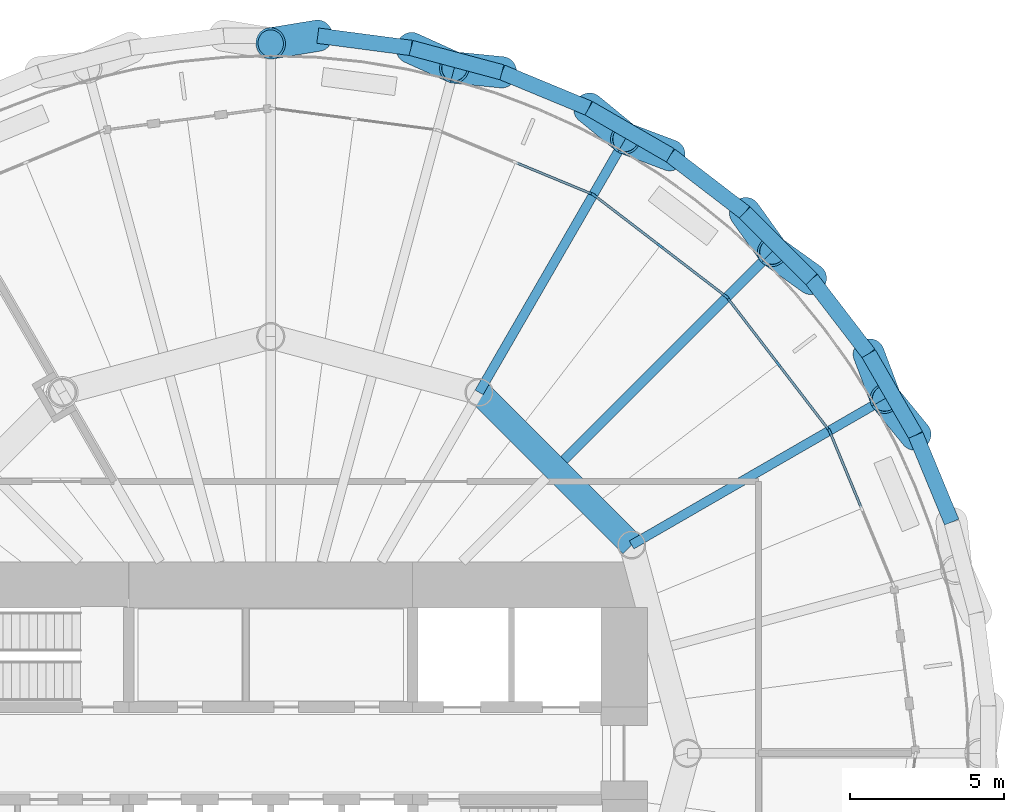
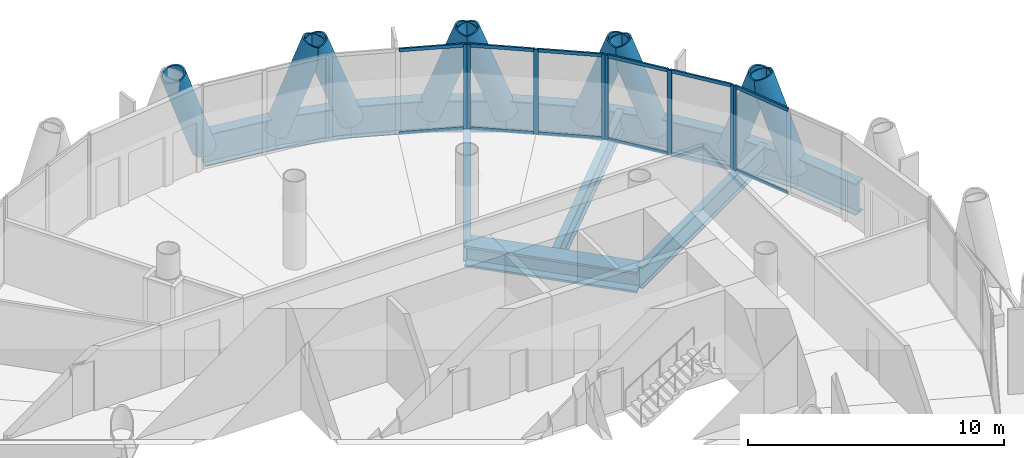
# One storey, part 7 of 14: 29 members, 13 beams, 4 elements without a shape of their own.
"""IFC4 building model written with IfcOpenShell, lengths in metres."""

from ifc_helpers import new_model, si_unit, direction, frame, origin, origin_2d, place, context, subcontext, project, spatial, rectangle, hollow_circle, i_section, extrude, material, material_profile, profile_set, type_object, element, aggregate, save


model = new_model("IFC4")

# Units and contexts
model_context = context("Model", 3, precision=1e-05, world=origin(), true_north=direction((0.0, 1.0)))
body_context = subcontext(model_context, "Body", "Model", "MODEL_VIEW")
ifc_project = project(units=[si_unit("LENGTHUNIT", "METRE"), si_unit("AREAUNIT", "SQUARE_METRE"), si_unit("VOLUMEUNIT", "CUBIC_METRE"), si_unit("PLANEANGLEUNIT", "RADIAN"), si_unit("MASSUNIT", "GRAM", prefix="KILO")], contexts=[model_context])

# Site, building, storey
site_placement = place(None, origin())
site = spatial("IfcSite", under=ifc_project, at=site_placement, CompositionType="ELEMENT")
building_placement = place(site_placement, origin())
building = spatial("IfcBuilding", under=site, at=building_placement, Name="Qaws Media Tower", CompositionType="ELEMENT")
storey_placement = place(building_placement, frame((0.0, 0.0, 206.60009765625)))
storey = spatial("IfcBuildingStorey", under=building, at=storey_placement, Name="L47", CompositionType="ELEMENT", Elevation=206.60009765625)

# Curtain wall, member
ifc_material_1 = material(Name="Aluminium and clear glass", Category="aluminium")
curtain_wall_type = type_object("IfcCurtainWallType", Name="Unitised curtain wall CW-C", PredefinedType="NOTDEFINED", material=ifc_material_1)
curtain_wall_1_placement = place(storey_placement, origin())
curtain_wall_1 = element("IfcCurtainWall", 1, at=curtain_wall_1_placement, inside=storey, type_object=curtain_wall_type, Name="CWC curtain wall L47-02", PredefinedType="NOTDEFINED")
ifc_material_2 = material(Name="Aluminium mullion", Category="aluminium")
ifc_material_profile_1 = material_profile(ifc_material_2, rectangle(XDim=0.080078125, YDim=0.199951171875, at=origin_2d()), Name="80x200")
ifc_profile_set_1 = profile_set([ifc_material_profile_1], Name="Aluminium mullion")
member_type_1 = type_object("IfcMemberType", Name="Curtain wall mullion 80x200", PredefinedType="MULLION", material=ifc_profile_set_1)
member_1_placement = place(storey_placement, frame((78.115234375, 60.4130859375, 0.0), z_axis=(0.0, 0.0, 1.0), x_axis=(-0.92387952266, -0.382683456149, 0.0)))
member_1 = element("IfcMember", 2, at=member_1_placement, type_object=member_type_1, Name="CWC mullion 3", PredefinedType="MULLION", context=body_context, shape_type="SweptSolid", body=[
    extrude(rectangle(XDim=0.080078125, YDim=0.199951171875, at=origin_2d()), origin(), (0.0, 0.0, 1.0), 4.039794921875),
])

# Curtain wall, members
curtain_wall_2_placement = place(storey_placement, origin())
curtain_wall_2 = element("IfcCurtainWall", 3, at=curtain_wall_2_placement, inside=storey, type_object=curtain_wall_type, Name="CWC curtain wall L47-03", PredefinedType="NOTDEFINED")
member_2_placement = place(storey_placement, frame((78.07568359375, 60.481689453125, 0.0), z_axis=(0.0, 0.0, 1.0), x_axis=(-0.793353377638, -0.608761380338, 0.0)))
member_2 = element("IfcMember", 4, at=member_2_placement, type_object=member_type_1, Name="CWC mullion 1", PredefinedType="MULLION", context=body_context, shape_type="SweptSolid", body=[
    extrude(rectangle(XDim=0.080078125, YDim=0.199951171875, at=origin_2d()), origin(), (0.0, 0.0, 1.0), 4.039794921875),
])
member_3_placement = place(storey_placement, frame((76.439208984375, 62.6142578125, 0.0), z_axis=(0.0, 0.0, 1.0), x_axis=(-0.793353377638, -0.608761380338, 0.0)))
member_3 = element("IfcMember", 5, at=member_3_placement, type_object=member_type_1, Name="CWC mullion 2", PredefinedType="MULLION", context=body_context, shape_type="SweptSolid", body=[
    extrude(rectangle(XDim=0.080078125, YDim=0.199951171875, at=origin_2d()), origin(), (0.0, 0.0, 1.0), 4.039794921875),
])
member_4_placement = place(storey_placement, frame((74.802978515625, 64.746826171875, 0.0), z_axis=(0.0, 0.0, 1.0), x_axis=(-0.793353377638, -0.608761380338, 0.0)))
member_4 = element("IfcMember", 6, at=member_4_placement, type_object=member_type_1, Name="CWC mullion 3", PredefinedType="MULLION", context=body_context, shape_type="SweptSolid", body=[
    extrude(rectangle(XDim=0.080078125, YDim=0.199951171875, at=origin_2d()), origin(), (0.0, 0.0, 1.0), 4.039794921875),
])

curtain_wall_3_placement = place(storey_placement, origin())
curtain_wall_3 = element("IfcCurtainWall", 7, at=curtain_wall_3_placement, inside=storey, type_object=curtain_wall_type, Name="CWC curtain wall L47-04", PredefinedType="NOTDEFINED")
member_5_placement = place(storey_placement, frame((74.746826171875, 64.802978515625, 0.0), z_axis=(0.0, 0.0, 1.0), x_axis=(-0.608761380338, -0.793353377638, 0.0)))
member_5 = element("IfcMember", 8, at=member_5_placement, type_object=member_type_1, Name="CWC mullion 1", PredefinedType="MULLION", context=body_context, shape_type="SweptSolid", body=[
    extrude(rectangle(XDim=0.080078125, YDim=0.199951171875, at=origin_2d()), origin(), (0.0, 0.0, 1.0), 4.039794921875),
])
member_6_placement = place(storey_placement, frame((72.6142578125, 66.439208984375, 0.0), z_axis=(0.0, 0.0, 1.0), x_axis=(-0.608761380338, -0.793353377638, 0.0)))
member_6 = element("IfcMember", 9, at=member_6_placement, type_object=member_type_1, Name="CWC mullion 2", PredefinedType="MULLION", context=body_context, shape_type="SweptSolid", body=[
    extrude(rectangle(XDim=0.080078125, YDim=0.199951171875, at=origin_2d()), origin(), (0.0, 0.0, 1.0), 4.039794921875),
])
member_7_placement = place(storey_placement, frame((70.481689453125, 68.07568359375, 0.0), z_axis=(0.0, 0.0, 1.0), x_axis=(-0.608761380338, -0.793353377638, 0.0)))
member_7 = element("IfcMember", 10, at=member_7_placement, type_object=member_type_1, Name="CWC mullion 3", PredefinedType="MULLION", context=body_context, shape_type="SweptSolid", body=[
    extrude(rectangle(XDim=0.080078125, YDim=0.199951171875, at=origin_2d()), origin(), (0.0, 0.0, 1.0), 4.039794921875),
])

# Curtain wall, member
curtain_wall_4_placement = place(storey_placement, origin())
curtain_wall_4 = element("IfcCurtainWall", 11, at=curtain_wall_4_placement, inside=storey, type_object=curtain_wall_type, Name="CWC curtain wall L47-05", PredefinedType="NOTDEFINED")
member_8_placement = place(storey_placement, frame((70.4130859375, 68.115234375, 0.0), z_axis=(0.0, 0.0, 1.0), x_axis=(-0.382683456149, -0.92387952266, 0.0)))
member_8 = element("IfcMember", 12, at=member_8_placement, type_object=member_type_1, Name="CWC mullion 1", PredefinedType="MULLION", context=body_context, shape_type="SweptSolid", body=[
    extrude(rectangle(XDim=0.080078125, YDim=0.199951171875, at=origin_2d()), origin(), (0.0, 0.0, 1.0), 4.039794921875),
])

# Member
ifc_material_3 = material(Name="Aluminium transom", Category="aluminium")
ifc_material_profile_2 = material_profile(ifc_material_3, rectangle(XDim=0.080078125, YDim=0.159912109375, at=origin_2d()), Name="80x160")
ifc_profile_set_2 = profile_set([ifc_material_profile_2], Name="Aluminium transom")
member_type_2 = type_object("IfcMemberType", Name="Curtain wall transom 80x160", PredefinedType="USERDEFINED", material=ifc_profile_set_2)
member_9_placement = place(storey_placement, frame((79.128662109375, 57.966552734375, 0.039794921875), z_axis=(-0.382693528503, 0.923875350489, 0.0), x_axis=(-0.923875350489, -0.382693528503, 0.0)))
member_9 = element("IfcMember", 13, at=member_9_placement, type_object=member_type_2, Name="CWC transom 2.1", ObjectType="TRANSOM", PredefinedType="USERDEFINED", context=body_context, shape_type="SweptSolid", body=[
    extrude(rectangle(XDim=0.080078125, YDim=0.159912109375, at=origin_2d()), origin(), (0.0, 0.0, 1.0), 2.60791015625),
])

member_10_placement = place(storey_placement, frame((79.128662109375, 57.966552734375, 4.0), z_axis=(-0.382693528503, 0.923875350489, 0.0), x_axis=(-0.923875350489, -0.382693528503, 0.0)))
member_10 = element("IfcMember", 14, at=member_10_placement, type_object=member_type_2, Name="CWC transom 2.2", ObjectType="TRANSOM", PredefinedType="USERDEFINED", context=body_context, shape_type="SweptSolid", body=[
    extrude(rectangle(XDim=0.080078125, YDim=0.159912109375, at=origin_2d()), origin(), (0.0, 0.0, 1.0), 2.60791015625),
])

aggregate(curtain_wall_1, [member_1, member_9, member_10])

member_11_placement = place(storey_placement, frame((78.05126953125, 60.513427734375, 0.039794921875), z_axis=(-0.608755759528, 0.793357690605, 0.0), x_axis=(-0.793357690605, -0.608755759528, 0.0)))
member_11 = element("IfcMember", 15, at=member_11_placement, type_object=member_type_2, Name="CWC transom 1.1", ObjectType="TRANSOM", PredefinedType="USERDEFINED", context=body_context, shape_type="SweptSolid", body=[
    extrude(rectangle(XDim=0.080078125, YDim=0.159912109375, at=origin_2d()), origin(), (0.0, 0.0, 1.0), 2.60791015625),
])

member_12_placement = place(storey_placement, frame((78.05126953125, 60.513427734375, 4.0), z_axis=(-0.608755759528, 0.793357690605, 0.0), x_axis=(-0.793357690605, -0.608755759528, 0.0)))
member_12 = element("IfcMember", 16, at=member_12_placement, type_object=member_type_2, Name="CWC transom 1.2", ObjectType="TRANSOM", PredefinedType="USERDEFINED", context=body_context, shape_type="SweptSolid", body=[
    extrude(rectangle(XDim=0.080078125, YDim=0.159912109375, at=origin_2d()), origin(), (0.0, 0.0, 1.0), 2.60791015625),
])

member_13_placement = place(storey_placement, frame((76.414794921875, 62.64599609375, 0.039794921875), z_axis=(-0.608755759528, 0.793357690605, 0.0), x_axis=(-0.793357690605, -0.608755759528, 0.0)))
member_13 = element("IfcMember", 17, at=member_13_placement, type_object=member_type_2, Name="CWC transom 2.1", ObjectType="TRANSOM", PredefinedType="USERDEFINED", context=body_context, shape_type="SweptSolid", body=[
    extrude(rectangle(XDim=0.080078125, YDim=0.159912109375, at=origin_2d()), origin(), (0.0, 0.0, 1.0), 2.60791015625),
])

member_14_placement = place(storey_placement, frame((76.414794921875, 62.64599609375, 4.0), z_axis=(-0.608755759528, 0.793357690605, 0.0), x_axis=(-0.793357690605, -0.608755759528, 0.0)))
member_14 = element("IfcMember", 18, at=member_14_placement, type_object=member_type_2, Name="CWC transom 2.2", ObjectType="TRANSOM", PredefinedType="USERDEFINED", context=body_context, shape_type="SweptSolid", body=[
    extrude(rectangle(XDim=0.080078125, YDim=0.159912109375, at=origin_2d()), origin(), (0.0, 0.0, 1.0), 2.60791015625),
])

aggregate(curtain_wall_2, [member_2, member_3, member_4, member_11, member_12, member_13, member_14])

member_15_placement = place(storey_placement, frame((74.715087890625, 64.8271484375, 0.039794921875), z_axis=(-0.793357690605, 0.608755759528, 0.0), x_axis=(-0.608755759528, -0.793357690605, 0.0)))
member_15 = element("IfcMember", 19, at=member_15_placement, type_object=member_type_2, Name="CWC transom 1.1", ObjectType="TRANSOM", PredefinedType="USERDEFINED", context=body_context, shape_type="SweptSolid", body=[
    extrude(rectangle(XDim=0.080078125, YDim=0.159912109375, at=origin_2d()), origin(), (0.0, 0.0, 1.0), 2.60791015625),
])

member_16_placement = place(storey_placement, frame((74.715087890625, 64.8271484375, 4.0), z_axis=(-0.793357690605, 0.608755759528, 0.0), x_axis=(-0.608755759528, -0.793357690605, 0.0)))
member_16 = element("IfcMember", 20, at=member_16_placement, type_object=member_type_2, Name="CWC transom 1.2", ObjectType="TRANSOM", PredefinedType="USERDEFINED", context=body_context, shape_type="SweptSolid", body=[
    extrude(rectangle(XDim=0.080078125, YDim=0.159912109375, at=origin_2d()), origin(), (0.0, 0.0, 1.0), 2.60791015625),
])

member_17_placement = place(storey_placement, frame((72.58251953125, 66.463623046875, 0.039794921875), z_axis=(-0.793357690605, 0.608755759528, 0.0), x_axis=(-0.608755759528, -0.793357690605, 0.0)))
member_17 = element("IfcMember", 21, at=member_17_placement, type_object=member_type_2, Name="CWC transom 2.1", ObjectType="TRANSOM", PredefinedType="USERDEFINED", context=body_context, shape_type="SweptSolid", body=[
    extrude(rectangle(XDim=0.080078125, YDim=0.159912109375, at=origin_2d()), origin(), (0.0, 0.0, 1.0), 2.60791015625),
])

member_18_placement = place(storey_placement, frame((72.58251953125, 66.463623046875, 4.0), z_axis=(-0.793357690605, 0.608755759528, 0.0), x_axis=(-0.608755759528, -0.793357690605, 0.0)))
member_18 = element("IfcMember", 22, at=member_18_placement, type_object=member_type_2, Name="CWC transom 2.2", ObjectType="TRANSOM", PredefinedType="USERDEFINED", context=body_context, shape_type="SweptSolid", body=[
    extrude(rectangle(XDim=0.080078125, YDim=0.159912109375, at=origin_2d()), origin(), (0.0, 0.0, 1.0), 2.60791015625),
])

aggregate(curtain_wall_3, [member_5, member_6, member_7, member_15, member_16, member_17, member_18])

member_19_placement = place(storey_placement, frame((70.3759765625, 68.130615234375, 0.039794921875), z_axis=(-0.923875350489, 0.382693528503, 0.0), x_axis=(-0.382693528503, -0.923875350489, 0.0)))
member_19 = element("IfcMember", 23, at=member_19_placement, type_object=member_type_2, Name="CWC transom 1.1", ObjectType="TRANSOM", PredefinedType="USERDEFINED", context=body_context, shape_type="SweptSolid", body=[
    extrude(rectangle(XDim=0.080078125, YDim=0.159912109375, at=origin_2d()), origin(), (0.0, 0.0, 1.0), 2.60791015625),
])

member_20_placement = place(storey_placement, frame((70.3759765625, 68.130615234375, 4.0), z_axis=(-0.923875350489, 0.382693528503, 0.0), x_axis=(-0.382693528503, -0.923875350489, 0.0)))
member_20 = element("IfcMember", 24, at=member_20_placement, type_object=member_type_2, Name="CWC transom 1.2", ObjectType="TRANSOM", PredefinedType="USERDEFINED", context=body_context, shape_type="SweptSolid", body=[
    extrude(rectangle(XDim=0.080078125, YDim=0.159912109375, at=origin_2d()), origin(), (0.0, 0.0, 1.0), 2.60791015625),
])

aggregate(curtain_wall_4, [member_8, member_19, member_20])

# Members
ifc_material_4 = material(Name="Steel S460", Category="steel")
ifc_material_profile_3 = material_profile(ifc_material_4, hollow_circle(Radius=0.508056640625, WallThickness=0.070068359375, at=origin_2d()), Name="CHS 1016x70")
ifc_profile_set_3 = profile_set([ifc_material_profile_3], Name="Steel S460")
member_type_3 = type_object("IfcMemberType", Name="Diagrid member CHS 1016x70", PredefinedType="USERDEFINED", material=ifc_profile_set_3)
for number, where, z_axis, x_axis, name in (
    (25, (80.897216796875, 60.305419921875, -0.91015625), (-0.218671012683, 0.266955405454, 0.93857221337), (-0.77359792083, -0.633676776351, 0.0), "DG3 diagrid L47 A02"),
    (26, (77.517822265625, 65.36279296875, -0.91015625), (-0.280321331697, 0.201266133248, 0.938569067572), (-0.583225507839, -0.812310289856, 0.0), "DG3 diagrid L47 A03"),
    (27, (79.373291015625, 62.94482421875, -0.91015625), (0.121882547389, -0.322874178804, 0.938561084482), (0.935560331007, 0.353166911029, 0.0), "DG3 diagrid L47 B03"),
    (28, (72.94482421875, 69.373291015625, -0.91015625), (-0.322874178804, 0.121882547389, 0.938561084482), (-0.353166911029, -0.935560331007, 0.0), "DG3 diagrid L47 A04"),
    (29, (75.36279296875, 67.517822265625, -0.91015625), (0.201266133248, -0.280321331697, 0.938569067572), (0.812310289856, 0.583225507839, 0.0), "DG3 diagrid L47 B04"),
    (30, (67.489501953125, 72.0634765625, -0.91015625), (-0.343391645998, 0.034153665458, 0.938571097251), (-0.098971482221, -0.99509027013, 0.0), "DG3 diagrid L47 A05"),
    (31, (70.305419921875, 70.897216796875, -0.91015625), (0.266955405454, -0.218671012683, 0.93857221337), (0.633676776351, 0.77359792083, 0.0), "DG3 diagrid L47 B05"),
    (32, (61.52392578125, 73.25, -0.91015625), (-0.340552153241, -0.055867575283, 0.938564353124), (0.161886075134, -0.986809454088, 0.0), "DG3 diagrid L47 A06"),
    (33, (64.545654296875, 72.852294921875, -0.91015625), (0.314474007821, -0.142124356415, 0.938566335279), (0.411836624979, 0.911257699186, 0.0), "DG3 diagrid L47 B06"),
):
    element("IfcMember", number, at=place(storey_placement, frame(where, z_axis=z_axis, x_axis=x_axis)), inside=storey, type_object=member_type_3, Name=name, ObjectType="DIAGRID", PredefinedType="USERDEFINED", context=body_context, shape_type="SweptSolid", body=[
        extrude(hollow_circle(Radius=0.508056640625, WallThickness=0.070068359375, at=origin_2d()), origin(), (0.0, 0.0, 1.0), 4.474853515625),
    ])

# Beams
ifc_material_5 = material(Name="Steel S460", Category="steel")
ifc_material_profile_4 = material_profile(ifc_material_5, i_section(OverallWidth=0.5, OverallDepth=1.5, WebThickness=0.02001953125, FlangeThickness=0.0400390625, at=origin_2d()), Name="PG 1500x500")
ifc_profile_set_4 = profile_set([ifc_material_profile_4], Name="Steel S460")
beam_type_1 = type_object("IfcBeamType", Name="Edge ring beam PG 1500x500", PredefinedType="BEAM", material=ifc_profile_set_4)
for number, where, z_axis, x_axis, name in (
    (34, (82.0634765625, 57.489501953125, -0.91015625), (-0.382646564361, 0.923894802877, 0.0), (-0.923894802877, -0.382646564361, 0.0), "RB4 edge ring beam L47-03"),
    (35, (80.897216796875, 60.305419921875, -0.91015625), (-0.500015995287, 0.866016168704, 0.0), (-0.866016168704, -0.500015995287, 0.0), "RB4 edge ring beam L47-04"),
    (36, (79.373291015625, 62.94482421875, -0.91015625), (-0.608781268648, 0.793338116406, 0.0), (-0.793338116406, -0.608781268648, 0.0), "RB4 edge ring beam L47-05"),
):
    element("IfcBeam", number, at=place(storey_placement, frame(where, z_axis=z_axis, x_axis=x_axis)), inside=storey, type_object=beam_type_1, Name=name, PredefinedType="BEAM", context=body_context, shape_type="SweptSolid", body=[
        extrude(i_section(OverallWidth=0.5, OverallDepth=1.5, WebThickness=0.02001953125, FlangeThickness=0.0400390625, at=origin_2d()), origin(), (0.0, 0.0, 1.0), 3.0478515625),
    ])
beam_1_placement = place(storey_placement, frame((77.517822265625, 65.36279296875, -0.91015625), z_axis=(-0.707106781187, 0.707106781187, 0.0), x_axis=(-0.707106781187, -0.707106781187, 0.0)))
element("IfcBeam", 37, at=beam_1_placement, inside=storey, type_object=beam_type_1, Name="RB4 edge ring beam L47-06", PredefinedType="BEAM", context=body_context, shape_type="SweptSolid", body=[
    extrude(i_section(OverallWidth=0.5, OverallDepth=1.5, WebThickness=0.02001953125, FlangeThickness=0.0400390625, at=origin_2d()), origin(), (0.0, 0.0, 1.0), 3.047607421875),
])
for number, where, z_axis, x_axis, name in (
    (38, (75.36279296875, 67.517822265625, -0.91015625), (-0.793338116406, 0.608781268648, 0.0), (-0.608781268648, -0.793338116406, 0.0), "RB4 edge ring beam L47-07"),
    (39, (72.94482421875, 69.373291015625, -0.91015625), (-0.866016168704, 0.500015995287, 0.0), (-0.500015995287, -0.866016168704, 0.0), "RB4 edge ring beam L47-08"),
    (40, (70.305419921875, 70.897216796875, -0.91015625), (-0.923894802877, 0.382646564361, 0.0), (-0.382646564361, -0.923894802877, 0.0), "RB4 edge ring beam L47-09"),
):
    element("IfcBeam", number, at=place(storey_placement, frame(where, z_axis=z_axis, x_axis=x_axis)), inside=storey, type_object=beam_type_1, Name=name, PredefinedType="BEAM", context=body_context, shape_type="SweptSolid", body=[
        extrude(i_section(OverallWidth=0.5, OverallDepth=1.5, WebThickness=0.02001953125, FlangeThickness=0.0400390625, at=origin_2d()), origin(), (0.0, 0.0, 1.0), 3.0478515625),
    ])
beam_2_placement = place(storey_placement, frame((67.489501953125, 72.0634765625, -0.91015625), z_axis=(-0.965924451694, 0.258824175106, 0.0), x_axis=(-0.258824175106, -0.965924451694, 0.0)))
element("IfcBeam", 41, at=beam_2_placement, inside=storey, type_object=beam_type_1, Name="RB4 edge ring beam L47-10", PredefinedType="BEAM", context=body_context, shape_type="SweptSolid", body=[
    extrude(i_section(OverallWidth=0.5, OverallDepth=1.5, WebThickness=0.02001953125, FlangeThickness=0.0400390625, at=origin_2d()), origin(), (0.0, 0.0, 1.0), 3.047607421875),
])
beam_3_placement = place(storey_placement, frame((64.545654296875, 72.852294921875, -0.91015625), z_axis=(-0.991449659888, 0.130489738706, 0.0), x_axis=(-0.130489738706, -0.991449659888, 0.0)))
element("IfcBeam", 42, at=beam_3_placement, inside=storey, type_object=beam_type_1, Name="RB4 edge ring beam L47-11", PredefinedType="BEAM", context=body_context, shape_type="SweptSolid", body=[
    extrude(i_section(OverallWidth=0.5, OverallDepth=1.5, WebThickness=0.02001953125, FlangeThickness=0.0400390625, at=origin_2d()), origin(), (0.0, 0.0, 1.0), 3.0478515625),
])
ifc_material_6 = material(Name="Steel S460", Category="steel")
ifc_material_profile_5 = material_profile(ifc_material_6, i_section(OverallWidth=0.800048828125, OverallDepth=1.0, WebThickness=0.0400390625, FlangeThickness=0.10009765625, at=origin_2d()), Name="PG 1000x800")
ifc_profile_set_5 = profile_set([ifc_material_profile_5], Name="Steel S460")
beam_type_2 = type_object("IfcBeamType", Name="Inner ring girder PG 1000x800", PredefinedType="BEAM", material=ifc_profile_set_5)
beam_4_placement = place(storey_placement, frame((71.69140625, 56.75, -0.66015625), z_axis=(-0.707106781187, 0.707106781187, 0.0), x_axis=(-0.707106781187, -0.707106781187, 0.0)))
element("IfcBeam", 43, at=beam_4_placement, inside=storey, type_object=beam_type_2, Name="B3 inner ring beam L47 I02-I03", PredefinedType="BEAM", context=body_context, shape_type="SweptSolid", body=[
    extrude(i_section(OverallWidth=0.800048828125, OverallDepth=1.0, WebThickness=0.0400390625, FlangeThickness=0.10009765625, at=origin_2d()), origin(), (0.0, 0.0, 1.0), 6.98828125),
])
ifc_material_7 = material(Name="Steel S355", Category="steel")
ifc_material_profile_6 = material_profile(ifc_material_7, i_section(OverallWidth=0.302001953125, OverallDepth=1.008056640625, WebThickness=0.02099609375, FlangeThickness=0.0400390625, FilletRadius=0.030029296875, at=origin_2d()), Name="HE 1000 M")
ifc_profile_set_6 = profile_set([ifc_material_profile_6], Name="Steel S355")
beam_type_3 = type_object("IfcBeamType", Name="Radial beam HE 1000 M", PredefinedType="BEAM", material=ifc_profile_set_6)
beam_5_placement = place(storey_placement, frame((71.69140625, 56.75, -0.6640625), z_axis=(0.866027967067, 0.499995560238, 0.0), x_axis=(-0.499995560238, 0.866027967067, 0.0)))
element("IfcBeam", 44, at=beam_5_placement, inside=storey, type_object=beam_type_3, Name="B1 radial beam L47 03", PredefinedType="BEAM", context=body_context, shape_type="SweptSolid", body=[
    extrude(i_section(OverallWidth=0.302001953125, OverallDepth=1.008056640625, WebThickness=0.02099609375, FlangeThickness=0.0400390625, FilletRadius=0.030029296875, at=origin_2d()), origin(), (0.0, 0.0, 1.0), 9.75),
])
beam_6_placement = place(storey_placement, frame((69.50341796875, 59.50341796875, -0.6640625), z_axis=(0.707106781187, 0.707106781187, 0.0), x_axis=(-0.707106781187, 0.707106781187, 0.0)))
element("IfcBeam", 45, at=beam_6_placement, inside=storey, type_object=beam_type_3, Name="B1 radial beam L47 04", PredefinedType="BEAM", context=body_context, shape_type="SweptSolid", body=[
    extrude(i_section(OverallWidth=0.302001953125, OverallDepth=1.008056640625, WebThickness=0.02099609375, FlangeThickness=0.0400390625, FilletRadius=0.030029296875, at=origin_2d()), origin(), (0.0, 0.0, 1.0), 9.810302734375),
])
beam_7_placement = place(storey_placement, frame((66.75, 61.69140625, -0.6640625), z_axis=(0.499995560238, 0.866027967067, 0.0), x_axis=(-0.866027967067, 0.499995560238, 0.0)))
element("IfcBeam", 46, at=beam_7_placement, inside=storey, type_object=beam_type_3, Name="B1 radial beam L47 05", PredefinedType="BEAM", context=body_context, shape_type="SweptSolid", body=[
    extrude(i_section(OverallWidth=0.302001953125, OverallDepth=1.008056640625, WebThickness=0.02099609375, FlangeThickness=0.0400390625, FilletRadius=0.030029296875, at=origin_2d()), origin(), (0.0, 0.0, 1.0), 9.75),
])

save(model, "model.ifc")
